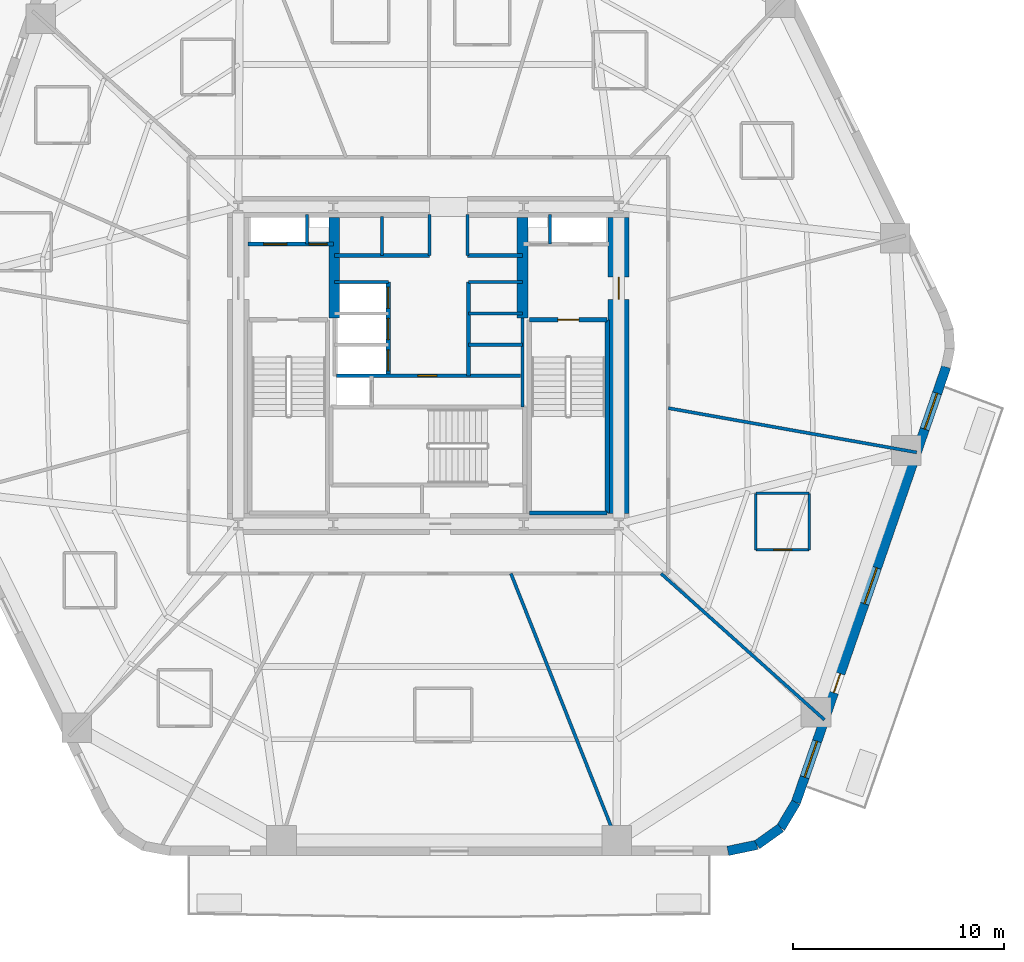
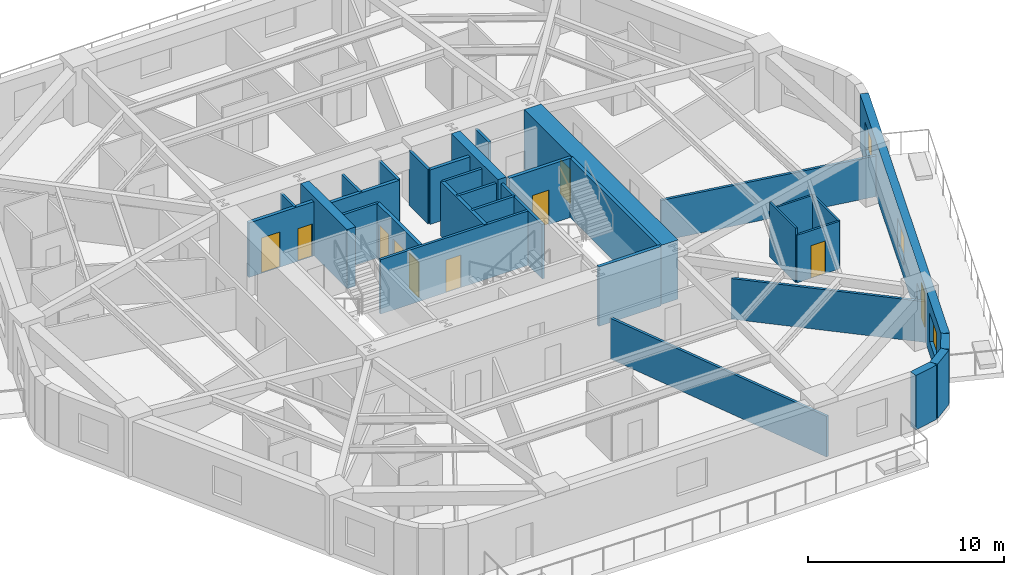
# One storey, part 4 of 10: 33 walls, 10 doors, 3 windows, 13 openings.
"""IFC4 building model written with IfcOpenShell, lengths in metres."""

from ifc_helpers import new_model, si_unit, direction, frame, frame_2d, origin, place, context, subcontext, project, spatial, rectangle, extrude, material, layer, layer_set, type_object, element, fill, save


model = new_model("IFC4")

# Units and contexts
model_context = context("Model", 3, precision=1e-05, world=origin(), true_north=direction((0.0, 1.0)))
body_context = subcontext(model_context, "Body", "Model", "MODEL_VIEW")
ifc_project = project(units=[si_unit("LENGTHUNIT", "METRE"), si_unit("AREAUNIT", "SQUARE_METRE"), si_unit("VOLUMEUNIT", "CUBIC_METRE"), si_unit("PLANEANGLEUNIT", "RADIAN"), si_unit("MASSUNIT", "GRAM", prefix="KILO")], contexts=[model_context])

# Site, building, storey
site_placement = place(None, origin())
site = spatial("IfcSite", under=ifc_project, at=site_placement, CompositionType="ELEMENT")
building_placement = place(site_placement, origin())
building = spatial("IfcBuilding", under=site, at=building_placement, Name="Kilnhurst Terrace Hotel", CompositionType="ELEMENT")
storey_placement = place(building_placement, frame((0.0, 0.0, 71.199951171875)))
storey = spatial("IfcBuildingStorey", under=building, at=storey_placement, Name="L16", CompositionType="ELEMENT", Elevation=71.199951171875)

# Walls
ifc_material_1 = material(Name="Precast concrete C40/50", Category="concrete")
ifc_layer_1 = layer(ifc_material_1, 0.449951171875, Name="Precast concrete C40/50")
ifc_layer_set_1 = layer_set([ifc_layer_1], Name="Precast concrete C40/50")
wall_type_1 = type_object("IfcWallType", Name="WL-BRK-450", PredefinedType="SOLIDWALL", material=ifc_layer_set_1)
wall_1_placement = place(storey_placement, frame((14.168212890625, -22.97509765625, 0.0), z_axis=(0.0, 0.0, 1.0), x_axis=(0.978770371074, 0.204959900243, 0.0)))
element("IfcWall", 1, at=wall_1_placement, inside=storey, type_object=wall_type_1, Name="L16 Rounded Corner Brick Wall C2.1", PredefinedType="SOLIDWALL", context=body_context, shape_type="SweptSolid", body=[
    extrude(rectangle(XDim=1.405517578125, YDim=0.449951171875, at=frame_2d((0.70263671875, 0.0))), origin(), (0.0, 0.0, 1.0), 3.400146484375),
])
wall_2_placement = place(storey_placement, frame((15.5439453125, -22.68701171875, 0.0), z_axis=(0.0, 0.0, 1.0), x_axis=(0.814210854316, 0.580569276412, 0.0)))
element("IfcWall", 2, at=wall_2_placement, inside=storey, type_object=wall_type_1, Name="L16 Rounded Corner Brick Wall C2.2", PredefinedType="SOLIDWALL", context=body_context, shape_type="SweptSolid", body=[
    extrude(rectangle(XDim=1.38134765625, YDim=0.449951171875, at=frame_2d((0.690673828125, 0.0))), origin(), (0.0, 0.0, 1.0), 3.400146484375),
])
wall_3_placement = place(storey_placement, frame((16.668701171875, -21.885009765625, 0.0), z_axis=(0.0, 0.0, 1.0), x_axis=(0.512936712947, 0.858426425799, 0.0)))
element("IfcWall", 3, at=wall_3_placement, inside=storey, type_object=wall_type_1, Name="L16 Rounded Corner Brick Wall C2.3", PredefinedType="SOLIDWALL", context=body_context, shape_type="SweptSolid", body=[
    extrude(rectangle(XDim=1.405517578125, YDim=0.449951171875, at=frame_2d((0.70263671875, 0.0))), origin(), (0.0, 0.0, 1.0), 3.400146484375),
])

# Wall, openings, door, windows
wall_4_placement = place(storey_placement, frame((17.3896484375, -20.678466796875, 0.0), z_axis=(0.0, 0.0, 1.0), x_axis=(0.326068018294, 0.945346310854, 0.0)))
wall_4 = element("IfcWall", 4, at=wall_4_placement, inside=storey, type_object=wall_type_1, Name="L16 Exterior Brick Facade Wall F2", PredefinedType="SOLIDWALL", context=body_context, shape_type="SweptSolid", body=[
    extrude(rectangle(XDim=21.79296875, YDim=0.449951171875, at=frame_2d((10.896484375, 0.0))), origin(), (0.0, 0.0, 1.0), 3.400146484375),
])
opening_1_placement = place(wall_4_placement, frame((5.492919921875, 0.0, 0.0)))
opening_1 = element("IfcOpeningElement", 5, at=opening_1_placement, cuts=wall_4, Name="Opening BD-950", PredefinedType="OPENING", context=body_context, shape_type="SweptSolid", body=[
    extrude(rectangle(XDim=0.949951171875, YDim=2.14990234375, at=frame_2d((0.47509765625, 1.074951171875))), frame((0.0, 0.23486328125, 0.0), z_axis=(0.0, -1.0, 0.0), x_axis=(1.0, 0.0, 0.0)), (0.0, 0.0, 1.0), 0.469970703125),
])
opening_2_placement = place(wall_4_placement, frame((1.260009765625, 0.0, 0.800048828125)))
opening_2 = element("IfcOpeningElement", 6, at=opening_2_placement, cuts=wall_4, Name="Opening W-01", PredefinedType="OPENING", context=body_context, shape_type="SweptSolid", body=[
    extrude(rectangle(XDim=1.800048828125, YDim=1.800048828125, at=frame_2d((0.89990234375, 0.89990234375))), frame((0.0, 0.23486328125, 0.0), z_axis=(0.0, -1.0, 0.0), x_axis=(1.0, 0.0, 0.0)), (0.0, 0.0, 1.0), 0.469970703125),
])
opening_3_placement = place(wall_4_placement, frame((9.943115234375, 0.0, 0.800048828125)))
opening_3 = element("IfcOpeningElement", 7, at=opening_3_placement, cuts=wall_4, Name="Opening W-01", PredefinedType="OPENING", context=body_context, shape_type="SweptSolid", body=[
    extrude(rectangle(XDim=1.800048828125, YDim=1.800048828125, at=frame_2d((0.89990234375, 0.89990234375))), frame((0.0, 0.23486328125, 0.0), z_axis=(0.0, -1.0, 0.0), x_axis=(1.0, 0.0, 0.0)), (0.0, 0.0, 1.0), 0.469970703125),
])
opening_4_placement = place(wall_4_placement, frame((18.679931640625, 0.0, 0.800048828125)))
opening_4 = element("IfcOpeningElement", 8, at=opening_4_placement, cuts=wall_4, Name="Opening W-01", PredefinedType="OPENING", context=body_context, shape_type="SweptSolid", body=[
    extrude(rectangle(XDim=1.800048828125, YDim=1.800048828125, at=frame_2d((0.89990234375, 0.89990234375))), frame((0.0, 0.23486328125, 0.0), z_axis=(0.0, -1.0, 0.0), x_axis=(1.0, 0.0, 0.0)), (0.0, 0.0, 1.0), 0.469970703125),
])
ifc_material_2 = material(Name="Thermally Broken Bronze Aluminium Alloy 6063-T6 and Laminated Glass", Category="aluminium")
door_type_1 = type_object("IfcDoorType", Name="DR-EXT-BAL-950", OperationType="NOTDEFINED", PredefinedType="DOOR", material=ifc_material_2)
door_1_placement = place(opening_1_placement, origin())
door_1 = element("IfcDoor", 9, at=door_1_placement, inside=storey, type_object=door_type_1, Name="L16 Planted Balcony Door BAL-L1B", OperationType="SINGLE_SWING_RIGHT", OverallHeight=2.14990234375, OverallWidth=0.949951171875, PredefinedType="DOOR", context=body_context, shape_type="SweptSolid", body=[
    extrude(rectangle(XDim=0.949951171875, YDim=2.14990234375, at=frame_2d((0.47509765625, 1.074951171875))), frame((0.0, 0.02490234375, 0.0), z_axis=(0.0, -1.0, 0.0), x_axis=(1.0, 0.0, 0.0)), (0.0, 0.0, 1.0), 0.050048828125),
])
fill(opening_1, door_1)
ifc_material_3 = material(Name="Thermally Broken Bronze Aluminium Alloy 6063-T6 and Low-E Glass", Category="aluminium")
window_type = type_object("IfcWindowType", Name="WIN-1800X1800", PartitioningType="SINGLE_PANEL", PredefinedType="WINDOW", material=ifc_material_3)
window_1_placement = place(opening_2_placement, origin())
window_1 = element("IfcWindow", 10, at=window_1_placement, inside=storey, type_object=window_type, Name="L16 Deep-Set Masonry Window F2.1", OverallHeight=1.800048828125, OverallWidth=1.800048828125, PartitioningType="SINGLE_PANEL", PredefinedType="WINDOW", context=body_context, shape_type="SweptSolid", body=[
    extrude(rectangle(XDim=1.800048828125, YDim=1.800048828125, at=frame_2d((0.89990234375, 0.89990234375))), frame((0.0, 0.030029296875, 0.0), z_axis=(0.0, -1.0, 0.0), x_axis=(1.0, 0.0, 0.0)), (0.0, 0.0, 1.0), 0.06005859375),
])
fill(opening_2, window_1)
window_2_placement = place(opening_3_placement, origin())
window_2 = element("IfcWindow", 11, at=window_2_placement, inside=storey, type_object=window_type, Name="L16 Deep-Set Masonry Window F2.2", OverallHeight=1.800048828125, OverallWidth=1.800048828125, PartitioningType="SINGLE_PANEL", PredefinedType="WINDOW", context=body_context, shape_type="SweptSolid", body=[
    extrude(rectangle(XDim=1.800048828125, YDim=1.800048828125, at=frame_2d((0.89990234375, 0.89990234375))), frame((0.0, 0.030029296875, 0.0), z_axis=(0.0, -1.0, 0.0), x_axis=(1.0, 0.0, 0.0)), (0.0, 0.0, 1.0), 0.06005859375),
])
fill(opening_3, window_2)
window_3_placement = place(opening_4_placement, origin())
window_3 = element("IfcWindow", 12, at=window_3_placement, inside=storey, type_object=window_type, Name="L16 Deep-Set Masonry Window F2.3", OverallHeight=1.800048828125, OverallWidth=1.800048828125, PartitioningType="SINGLE_PANEL", PredefinedType="WINDOW", context=body_context, shape_type="SweptSolid", body=[
    extrude(rectangle(XDim=1.800048828125, YDim=1.800048828125, at=frame_2d((0.89990234375, 0.89990234375))), frame((0.0, 0.030029296875, 0.0), z_axis=(0.0, -1.0, 0.0), x_axis=(1.0, 0.0, 0.0)), (0.0, 0.0, 1.0), 0.06005859375),
])
fill(opening_4, window_3)

# Wall, opening, door
ifc_material_4 = material(Name="Concrete C80/95", Category="concrete")
ifc_layer_2 = layer(ifc_material_4, 1.0, Name="Concrete C80/95")
ifc_layer_set_2 = layer_set([ifc_layer_2], Name="Concrete C80/95")
wall_type_2 = type_object("IfcWallType", Name="WL-CORE-1000", PredefinedType="SHEAR", material=ifc_layer_set_2)
wall_5_placement = place(storey_placement, frame((9.0, -7.0, 0.0), z_axis=(0.0, 0.0, 1.0), x_axis=(0.0, 1.0, 0.0)))
wall_5 = element("IfcWall", 13, at=wall_5_placement, inside=storey, type_object=wall_type_2, Name="L16 Core East Shear Wall", PredefinedType="SHEAR", context=body_context, shape_type="SweptSolid", body=[
    extrude(rectangle(XDim=14.0, YDim=1.0, at=frame_2d((7.0, 0.0))), origin(), (0.0, 0.0, 1.0), 3.699951171875),
])
opening_5_placement = place(wall_5_placement, frame((10.125, 0.0, 0.0)))
opening_5 = element("IfcOpeningElement", 14, at=opening_5_placement, cuts=wall_5, Name="Opening D-90A", PredefinedType="OPENING", context=body_context, shape_type="SweptSolid", body=[
    extrude(rectangle(XDim=1.050048828125, YDim=2.14990234375, at=frame_2d((0.52490234375, 1.074951171875))), frame((0.0, 0.510009765625, 0.0), z_axis=(0.0, -1.0, 0.0), x_axis=(1.0, 0.0, 0.0)), (0.0, 0.0, 1.0), 1.02001953125),
])
ifc_material_5 = material(Name="Painted Hollow Metal Steel ASTM A36 Fire Door", Category="steel")
door_type_2 = type_object("IfcDoorType", Name="DR-FD90-1050", OperationType="NOTDEFINED", PredefinedType="DOOR", material=ifc_material_5)
door_2_placement = place(opening_5_placement, origin())
door_2 = element("IfcDoor", 15, at=door_2_placement, inside=storey, type_object=door_type_2, Name="L16 East Firefighting Lobby Door", OperationType="SINGLE_SWING_LEFT", OverallHeight=2.14990234375, OverallWidth=1.050048828125, PredefinedType="DOOR", context=body_context, shape_type="SweptSolid", body=[
    extrude(rectangle(XDim=1.050048828125, YDim=2.14990234375, at=frame_2d((0.52490234375, 1.074951171875))), frame((0.0, 0.02490234375, 0.0), z_axis=(0.0, -1.0, 0.0), x_axis=(1.0, 0.0, 0.0)), (0.0, 0.0, 1.0), 0.050048828125),
])
fill(opening_5, door_2)

# Walls
ifc_material_6 = material(Name="Concrete C60/75", Category="concrete")
ifc_layer_3 = layer(ifc_material_6, 0.5, Name="Concrete C60/75")
ifc_layer_set_3 = layer_set([ifc_layer_3], Name="Concrete C60/75")
wall_type_3 = type_object("IfcWallType", Name="WL-CORE-WEB-500", PredefinedType="SHEAR", material=ifc_layer_set_3)
for number, where, z_axis, x_axis, name in (
    (16, (-4.449951171875, 2.25, 0.0), (0.0, 0.0, 1.0), (0.0, 1.0, 0.0), "L16 Core Internal West Shear Web"),
    (17, (4.449951171875, 2.25, 0.0), (0.0, 0.0, 1.0), (0.0, 1.0, 0.0), "L16 Core Internal East Shear Web"),
):
    element("IfcWall", number, at=place(storey_placement, frame(where, z_axis=z_axis, x_axis=x_axis)), inside=storey, type_object=wall_type_3, Name=name, PredefinedType="SHEAR", context=body_context, shape_type="SweptSolid", body=[
        extrude(rectangle(XDim=4.75, YDim=0.5, at=frame_2d((2.375, 0.0))), origin(), (0.0, 0.0, 1.0), 3.699951171875),
    ])
ifc_material_7 = material(Name="STC-58 Acoustic Twin-Frame Guestroom Demising Partition")
ifc_layer_4 = layer(ifc_material_7, 0.14990234375, Name="STC-58 Acoustic Twin-Frame Guestroom Demising Partition")
ifc_layer_set_4 = layer_set([ifc_layer_4], Name="STC-58 Acoustic Twin-Frame Guestroom Demising Partition")
wall_type_4 = type_object("IfcWallType", Name="WL-DEM-150", PredefinedType="PARTITIONING", material=ifc_layer_set_4)
wall_6_placement = place(storey_placement, frame((3.90185546875, -9.85009765625, 0.0), z_axis=(0.0, 0.0, 1.0), x_axis=(0.36828765711, -0.929711891728, 0.0)))
element("IfcWall", 18, at=wall_6_placement, inside=storey, type_object=wall_type_4, Name="L16 Interior Wall WL-L16-DEM-COL10-13-1", PredefinedType="PARTITIONING", context=body_context, shape_type="SweptSolid", body=[
    extrude(rectangle(XDim=14.1171875, YDim=0.14990234375, at=frame_2d((7.05859375, 0.0))), origin(), (0.0, 0.0, 1.0), 2.5400390625),
])
wall_7_placement = place(storey_placement, frame((11.006591796875, -9.85009765625, 0.0), z_axis=(0.0, 0.0, 1.0), x_axis=(0.745177305978, -0.666866390407, 0.0)))
element("IfcWall", 19, at=wall_7_placement, inside=storey, type_object=wall_type_4, Name="L16 Interior Wall WL-L16-DEM-COL11-14-1", PredefinedType="PARTITIONING", context=body_context, shape_type="SweptSolid", body=[
    extrude(rectangle(XDim=10.375244140625, YDim=0.14990234375, at=frame_2d((5.1875, 0.0))), origin(), (0.0, 0.0, 1.0), 2.5400390625),
])
wall_8_placement = place(storey_placement, frame((11.35009765625, -2.022705078125, 0.0), z_axis=(0.0, 0.0, 1.0), x_axis=(0.984493741877, -0.17541970301, 0.0)))
element("IfcWall", 20, at=wall_8_placement, inside=storey, type_object=wall_type_4, Name="L16 Interior Wall WL-L16-DEM-COL12-15-1", PredefinedType="PARTITIONING", context=body_context, shape_type="SweptSolid", body=[
    extrude(rectangle(XDim=11.93701171875, YDim=0.14990234375, at=frame_2d((5.968505859375, 0.0))), origin(), (0.0, 0.0, 1.0), 2.5400390625),
])

# Wall, opening, door
ifc_material_8 = material(Name="120 mm Moisture-Resistant Tile-Backed Bathroom Partition")
ifc_layer_5 = layer(ifc_material_8, 0.1201171875, Name="120 mm Moisture-Resistant Tile-Backed Bathroom Partition")
ifc_layer_set_5 = layer_set([ifc_layer_5], Name="120 mm Moisture-Resistant Tile-Backed Bathroom Partition")
wall_type_5 = type_object("IfcWallType", Name="WL-PART-120", PredefinedType="PARTITIONING", material=ifc_layer_set_5)
wall_9_placement = place(storey_placement, frame((15.49609375, -8.73291015625, 0.0), z_axis=(0.0, 0.0, 1.0), x_axis=(1.0, 0.0, 0.0)))
wall_9 = element("IfcWall", 21, at=wall_9_placement, inside=storey, type_object=wall_type_5, Name="L16 Interior Wall WL-L16-BTH-14-1", PredefinedType="PARTITIONING", context=body_context, shape_type="SweptSolid", body=[
    extrude(rectangle(XDim=2.52001953125, YDim=0.1201171875, at=frame_2d((1.260009765625, 0.0))), origin(), (0.0, 0.0, 1.0), 2.972412109375),
])
opening_6_placement = place(wall_9_placement, frame((0.8349609375, 0.0, 0.0)))
opening_6 = element("IfcOpeningElement", 22, at=opening_6_placement, cuts=wall_9, Name="Opening D-08A", PredefinedType="OPENING", context=body_context, shape_type="SweptSolid", body=[
    extrude(rectangle(XDim=0.85009765625, YDim=2.030029296875, at=frame_2d((0.425048828125, 1.01513671875))), frame((0.0, 0.070068359375, 0.0), z_axis=(0.0, -1.0, 0.0), x_axis=(1.0, 0.0, 0.0)), (0.0, 0.0, 1.0), 0.14013671875),
])
ifc_material_9 = material(Name="Moisture-Resistant Lacquered En-suite Bathroom Door")
door_type_3 = type_object("IfcDoorType", Name="DR-INT-850", OperationType="NOTDEFINED", PredefinedType="DOOR", material=ifc_material_9)
door_3_placement = place(opening_6_placement, origin())
door_3 = element("IfcDoor", 23, at=door_3_placement, inside=storey, type_object=door_type_3, Name="L16 En-suite Bathroom Door 14", OperationType="SINGLE_SWING_LEFT", OverallHeight=2.030029296875, OverallWidth=0.85009765625, PredefinedType="DOOR", context=body_context, shape_type="SweptSolid", body=[
    extrude(rectangle(XDim=0.85009765625, YDim=2.030029296875, at=frame_2d((0.425048828125, 1.01513671875))), frame((0.0, 0.02490234375, 0.0), z_axis=(0.0, -1.0, 0.0), x_axis=(1.0, 0.0, 0.0)), (0.0, 0.0, 1.0), 0.050048828125),
])
fill(opening_6, door_3)

# Walls
wall_10_placement = place(storey_placement, frame((18.01611328125, -8.73291015625, 0.0), z_axis=(0.0, 0.0, 1.0), x_axis=(0.0, 1.0, 0.0)))
element("IfcWall", 24, at=wall_10_placement, inside=storey, type_object=wall_type_5, Name="L16 Interior Wall WL-L16-BTH-14-2", PredefinedType="PARTITIONING", context=body_context, shape_type="SweptSolid", body=[
    extrude(rectangle(XDim=2.679931640625, YDim=0.1201171875, at=frame_2d((1.33984375, 0.0))), origin(), (0.0, 0.0, 1.0), 2.972412109375),
])
wall_11_placement = place(storey_placement, frame((18.01611328125, -6.052978515625, 0.0), z_axis=(0.0, 0.0, 1.0), x_axis=(-1.0, 0.0, 0.0)))
element("IfcWall", 25, at=wall_11_placement, inside=storey, type_object=wall_type_5, Name="L16 Interior Wall WL-L16-BTH-14-3", PredefinedType="PARTITIONING", context=body_context, shape_type="SweptSolid", body=[
    extrude(rectangle(XDim=2.52001953125, YDim=0.1201171875, at=frame_2d((1.260009765625, 0.0))), origin(), (0.0, 0.0, 1.0), 2.972412109375),
])
wall_12_placement = place(storey_placement, frame((15.49609375, -6.052978515625, 0.0), z_axis=(0.0, 0.0, 1.0), x_axis=(0.0, -1.0, 0.0)))
element("IfcWall", 26, at=wall_12_placement, inside=storey, type_object=wall_type_5, Name="L16 Interior Wall WL-L16-BTH-14-4", PredefinedType="PARTITIONING", context=body_context, shape_type="SweptSolid", body=[
    extrude(rectangle(XDim=2.679931640625, YDim=0.1201171875, at=frame_2d((1.33984375, 0.0))), origin(), (0.0, 0.0, 1.0), 3.400146484375),
])
ifc_material_10 = material(Name="Fire-Rated Gypsum Shaftliner Assembly")
ifc_layer_6 = layer(ifc_material_10, 0.14990234375, Name="Fire-Rated Gypsum Shaftliner Assembly")
ifc_layer_set_6 = layer_set([ifc_layer_6], Name="Fire-Rated Gypsum Shaftliner Assembly")
wall_type_6 = type_object("IfcWallType", Name="WL-SHAFT-150", PredefinedType="PARTITIONING", material=ifc_layer_set_6)
for number, where, z_axis, x_axis, name in (
    (27, (-5.75, 5.739990234375, 0.0), (0.0, 0.0, 1.0), (0.0, 1.0, 0.0), "L16 Interior Wall WL-L16-RIS1-DIV"),
    (28, (5.75, 5.739990234375, 0.0), (0.0, 0.0, 1.0), (0.0, 1.0, 0.0), "L16 Interior Wall WL-L16-RIS2-DIV"),
):
    element("IfcWall", number, at=place(storey_placement, frame(where, z_axis=z_axis, x_axis=x_axis)), inside=storey, type_object=wall_type_6, Name=name, PredefinedType="PARTITIONING", context=body_context, shape_type="SweptSolid", body=[
        extrude(rectangle(XDim=1.409912109375, YDim=0.14990234375, at=frame_2d((0.705078125, 0.0))), origin(), (0.0, 0.0, 1.0), 3.400146484375),
    ])
wall_13_placement = place(storey_placement, frame((-2.199951171875, 5.199951171875, 0.0), z_axis=(0.0, 0.0, 1.0), x_axis=(0.0, 1.0, 0.0)))
element("IfcWall", 29, at=wall_13_placement, inside=storey, type_object=wall_type_6, Name="L16 Interior Wall WL-L16-HR-DIV1", PredefinedType="PARTITIONING", context=body_context, shape_type="SweptSolid", body=[
    extrude(rectangle(XDim=1.85009765625, YDim=0.14990234375, at=frame_2d((0.925048828125, 0.0))), origin(), (0.0, 0.0, 1.0), 3.400146484375),
])
for number, where, z_axis, x_axis, name in (
    (30, (0.050048828125, 5.199951171875, 0.0), (0.0, 0.0, 1.0), (0.0, 1.0, 0.0), "L16 Interior Wall WL-L16-HR-PORTAL-W"),
    (31, (1.85009765625, 5.199951171875, 0.0), (0.0, 0.0, 1.0), (0.0, 1.0, 0.0), "L16 Interior Wall WL-L16-HR-PORTAL-E"),
):
    element("IfcWall", number, at=place(storey_placement, frame(where, z_axis=z_axis, x_axis=x_axis)), inside=storey, type_object=wall_type_6, Name=name, PredefinedType="PARTITIONING", context=body_context, shape_type="SweptSolid", body=[
        extrude(rectangle(XDim=1.949951171875, YDim=0.14990234375, at=frame_2d((0.97509765625, 0.0))), origin(), (0.0, 0.0, 1.0), 3.400146484375),
    ])
wall_14_placement = place(storey_placement, frame((4.449951171875, -1.971923828125, 0.0), z_axis=(0.0, 0.0, 1.0), x_axis=(0.0, 1.0, 0.0)))
element("IfcWall", 32, at=wall_14_placement, inside=storey, type_object=wall_type_6, Name="L16 Interior Wall WL-L16-XLOB-E", PredefinedType="PARTITIONING", context=body_context, shape_type="SweptSolid", body=[
    extrude(rectangle(XDim=4.221923828125, YDim=0.14990234375, at=frame_2d((2.11083984375, 0.0))), origin(), (0.0, 0.0, 1.0), 3.400146484375),
])
for number, where, z_axis, x_axis, name in (
    (33, (-4.449951171875, 3.93994140625, 0.0), (0.0, 0.0, 1.0), (1.0, 0.0, 0.0), "L16 Interior Wall WL-L16-LR-NORTH"),
    (34, (1.89990234375, 3.93994140625, 0.0), (0.0, 0.0, 1.0), (1.0, 0.0, 0.0), "L16 Interior Wall WL-L16-MR-NORTH"),
    (35, (1.89990234375, 0.97998046875, 0.0), (0.0, 0.0, 1.0), (1.0, 0.0, 0.0), "L16 Interior Wall WL-L16-MR-D1"),
    (36, (1.89990234375, 2.4599609375, 0.0), (0.0, 0.0, 1.0), (1.0, 0.0, 0.0), "L16 Interior Wall WL-L16-MR-D2"),
):
    element("IfcWall", number, at=place(storey_placement, frame(where, z_axis=z_axis, x_axis=x_axis)), inside=storey, type_object=wall_type_6, Name=name, PredefinedType="PARTITIONING", context=body_context, shape_type="SweptSolid", body=[
        extrude(rectangle(XDim=2.550048828125, YDim=0.14990234375, at=frame_2d((1.27490234375, 0.0))), origin(), (0.0, 0.0, 1.0), 3.400146484375),
    ])

# Wall, opening, door
wall_15_placement = place(storey_placement, frame((-4.360107421875, -0.489990234375, 0.0), z_axis=(0.0, 0.0, 1.0), x_axis=(1.0, 0.0, 0.0)))
wall_15 = element("IfcWall", 37, at=wall_15_placement, inside=storey, type_object=wall_type_6, Name="L16 Interior Wall WL-L16-BOH-N", PredefinedType="PARTITIONING", context=body_context, shape_type="SweptSolid", body=[
    extrude(rectangle(XDim=8.72021484375, YDim=0.14990234375, at=frame_2d((4.360107421875, 0.0))), origin(), (0.0, 0.0, 1.0), 3.400146484375),
])
opening_7_placement = place(wall_15_placement, frame((3.860107421875, 0.0, 0.0)))
opening_7 = element("IfcOpeningElement", 38, at=opening_7_placement, cuts=wall_15, Name="Opening D-60C", PredefinedType="OPENING", context=body_context, shape_type="SweptSolid", body=[
    extrude(rectangle(XDim=0.89990234375, YDim=2.030029296875, at=frame_2d((0.449951171875, 1.01513671875))), frame((0.0, 0.0849609375, 0.0), z_axis=(0.0, -1.0, 0.0), x_axis=(1.0, 0.0, 0.0)), (0.0, 0.0, 1.0), 0.169921875),
])
ifc_material_11 = material(Name="Painted Solid-Core Service Fire Door")
door_type_4 = type_object("IfcDoorType", Name="DR-FD60-900", OperationType="NOTDEFINED", PredefinedType="DOOR", material=ifc_material_11)
door_4_placement = place(opening_7_placement, origin())
door_4 = element("IfcDoor", 39, at=door_4_placement, inside=storey, type_object=door_type_4, Name="L16 Housekeeping Laundry Door", OperationType="SINGLE_SWING_LEFT", OverallHeight=2.030029296875, OverallWidth=0.89990234375, PredefinedType="DOOR", context=body_context, shape_type="SweptSolid", body=[
    extrude(rectangle(XDim=0.89990234375, YDim=2.030029296875, at=frame_2d((0.449951171875, 1.01513671875))), frame((0.0, 0.02490234375, 0.0), z_axis=(0.0, -1.0, 0.0), x_axis=(1.0, 0.0, 0.0)), (0.0, 0.0, 1.0), 0.050048828125),
])
fill(opening_7, door_4)

# Wall, openings, doors
ifc_material_12 = material(Name="Autoclaved Aerated Concrete C30/37 and Gypsum Shaft Assembly", Category="concrete")
ifc_layer_7 = layer(ifc_material_12, 0.199951171875, Name="Autoclaved Aerated Concrete C30/37 and Gypsum Shaft Assembly")
ifc_layer_set_7 = layer_set([ifc_layer_7], Name="Autoclaved Aerated Concrete C30/37 and Gypsum Shaft Assembly")
wall_type_7 = type_object("IfcWallType", Name="WL-SHAFT-200", PredefinedType="PARTITIONING", material=ifc_layer_set_7)
wall_16_placement = place(storey_placement, frame((-8.550048828125, 5.739990234375, 0.0), z_axis=(0.0, 0.0, 1.0), x_axis=(1.0, 0.0, 0.0)))
wall_16 = element("IfcWall", 40, at=wall_16_placement, inside=storey, type_object=wall_type_7, Name="L16 Interior Wall WL-L16-FSAE1-S", PredefinedType="PARTITIONING", context=body_context, shape_type="SweptSolid", body=[
    extrude(rectangle(XDim=4.050048828125, YDim=0.199951171875, at=frame_2d((2.02490234375, 0.0))), origin(), (0.0, 0.0, 1.0), 3.400146484375),
])
opening_8_placement = place(wall_16_placement, frame((0.75, 0.0, 0.0)))
opening_8 = element("IfcOpeningElement", 41, at=opening_8_placement, cuts=wall_16, Name="Opening LD-F1", PredefinedType="OPENING", context=body_context, shape_type="SweptSolid", body=[
    extrude(rectangle(XDim=1.10009765625, YDim=2.199951171875, at=frame_2d((0.550048828125, 1.10009765625))), frame((0.0, 0.10986328125, 0.0), z_axis=(0.0, -1.0, 0.0), x_axis=(1.0, 0.0, 0.0)), (0.0, 0.0, 1.0), 0.219970703125),
])
opening_9_placement = place(wall_16_placement, frame((2.89990234375, 0.0, 0.0)))
opening_9 = element("IfcOpeningElement", 42, at=opening_9_placement, cuts=wall_16, Name="Opening D-60D", PredefinedType="OPENING", context=body_context, shape_type="SweptSolid", body=[
    extrude(rectangle(XDim=0.85009765625, YDim=2.030029296875, at=frame_2d((0.425048828125, 1.01513671875))), frame((0.0, 0.10986328125, 0.0), z_axis=(0.0, -1.0, 0.0), x_axis=(1.0, 0.0, 0.0)), (0.0, 0.0, 1.0), 0.219970703125),
])
ifc_material_13 = material(Name="Painted Hollow Metal Steel ASTM A36 Riser Door", Category="steel")
door_type_5 = type_object("IfcDoorType", Name="DR-FD60-850", OperationType="NOTDEFINED", PredefinedType="DOOR", material=ifc_material_13)
door_5_placement = place(opening_9_placement, origin())
door_5 = element("IfcDoor", 43, at=door_5_placement, inside=storey, type_object=door_type_5, Name="L16 Electrical Riser Door", OperationType="SINGLE_SWING_LEFT", OverallHeight=2.030029296875, OverallWidth=0.85009765625, PredefinedType="DOOR", context=body_context, shape_type="SweptSolid", body=[
    extrude(rectangle(XDim=0.85009765625, YDim=2.030029296875, at=frame_2d((0.425048828125, 1.01513671875))), frame((0.0, 0.02490234375, 0.0), z_axis=(0.0, -1.0, 0.0), x_axis=(1.0, 0.0, 0.0)), (0.0, 0.0, 1.0), 0.050048828125),
])
fill(opening_9, door_5)
ifc_material_14 = material(Name="Bronze-Anodized Stainless Steel AISI 316L Sliding Door", Category="steel")
door_type_6 = type_object("IfcDoorType", Name="DR-LIFT-1100", OperationType="NOTDEFINED", PredefinedType="DOOR", material=ifc_material_14)
door_6_placement = place(opening_8_placement, origin())
door_6 = element("IfcDoor", 44, at=door_6_placement, inside=storey, type_object=door_type_6, Name="L16 FSAE-1 Landing Door", OperationType="SLIDING_TO_LEFT", OverallHeight=2.199951171875, OverallWidth=1.10009765625, PredefinedType="DOOR", context=body_context, shape_type="SweptSolid", body=[
    extrude(rectangle(XDim=1.10009765625, YDim=2.199951171875, at=frame_2d((0.550048828125, 1.10009765625))), frame((0.0, 0.02490234375, 0.0), z_axis=(0.0, -1.0, 0.0), x_axis=(1.0, 0.0, 0.0)), (0.0, 0.0, 1.0), 0.050048828125),
])
fill(opening_8, door_6)

# Walls
wall_17_placement = place(storey_placement, frame((-4.449951171875, 5.199951171875, 0.0), z_axis=(0.0, 0.0, 1.0), x_axis=(1.0, 0.0, 0.0)))
element("IfcWall", 45, at=wall_17_placement, inside=storey, type_object=wall_type_7, Name="L16 Interior Wall WL-L16-HR-SW", PredefinedType="PARTITIONING", context=body_context, shape_type="SweptSolid", body=[
    extrude(rectangle(XDim=4.5, YDim=0.199951171875, at=frame_2d((2.25, 0.0))), origin(), (0.0, 0.0, 1.0), 3.400146484375),
])
wall_18_placement = place(storey_placement, frame((1.85009765625, 5.199951171875, 0.0), z_axis=(0.0, 0.0, 1.0), x_axis=(1.0, 0.0, 0.0)))
element("IfcWall", 46, at=wall_18_placement, inside=storey, type_object=wall_type_7, Name="L16 Interior Wall WL-L16-HR-SE", PredefinedType="PARTITIONING", context=body_context, shape_type="SweptSolid", body=[
    extrude(rectangle(XDim=2.599853515625, YDim=0.199951171875, at=frame_2d((1.2998046875, 0.0))), origin(), (0.0, 0.0, 1.0), 3.400146484375),
])

# Wall, openings, doors
wall_19_placement = place(storey_placement, frame((-1.89990234375, -0.5, 0.0), z_axis=(0.0, 0.0, 1.0), x_axis=(0.0, 1.0, 0.0)))
wall_19 = element("IfcWall", 47, at=wall_19_placement, inside=storey, type_object=wall_type_7, Name="L16 Interior Wall WL-L16-LR-FRONT", PredefinedType="PARTITIONING", context=body_context, shape_type="SweptSolid", body=[
    extrude(rectangle(XDim=4.43994140625, YDim=0.199951171875, at=frame_2d((2.219970703125, 0.0))), origin(), (0.0, 0.0, 1.0), 3.400146484375),
])
opening_10_placement = place(wall_19_placement, frame((0.239990234375, 0.0, 0.0)))
opening_10 = element("IfcOpeningElement", 48, at=opening_10_placement, cuts=wall_19, Name="Opening LD-LR", PredefinedType="OPENING", context=body_context, shape_type="SweptSolid", body=[
    extrude(rectangle(XDim=1.0, YDim=2.199951171875, at=frame_2d((0.5, 1.10009765625))), frame((0.0, 0.10986328125, 0.0), z_axis=(0.0, -1.0, 0.0), x_axis=(1.0, 0.0, 0.0)), (0.0, 0.0, 1.0), 0.219970703125),
])
opening_11_placement = place(wall_19_placement, frame((1.719970703125, 0.0, 0.0)))
opening_11 = element("IfcOpeningElement", 49, at=opening_11_placement, cuts=wall_19, Name="Opening LD-LR", PredefinedType="OPENING", context=body_context, shape_type="SweptSolid", body=[
    extrude(rectangle(XDim=1.0, YDim=2.199951171875, at=frame_2d((0.5, 1.10009765625))), frame((0.0, 0.10986328125, 0.0), z_axis=(0.0, -1.0, 0.0), x_axis=(1.0, 0.0, 0.0)), (0.0, 0.0, 1.0), 0.219970703125),
])
opening_12_placement = place(wall_19_placement, frame((3.199951171875, 0.0, 0.0)))
opening_12 = element("IfcOpeningElement", 50, at=opening_12_placement, cuts=wall_19, Name="Opening LD-LR", PredefinedType="OPENING", context=body_context, shape_type="SweptSolid", body=[
    extrude(rectangle(XDim=1.0, YDim=2.199951171875, at=frame_2d((0.5, 1.10009765625))), frame((0.0, 0.10986328125, 0.0), z_axis=(0.0, -1.0, 0.0), x_axis=(1.0, 0.0, 0.0)), (0.0, 0.0, 1.0), 0.219970703125),
])
door_type_7 = type_object("IfcDoorType", Name="DR-LIFT-1000", OperationType="NOTDEFINED", PredefinedType="DOOR", material=ifc_material_14)
door_7_placement = place(opening_10_placement, origin())
door_7 = element("IfcDoor", 51, at=door_7_placement, inside=storey, type_object=door_type_7, Name="L16 Low Rise Lift LR-1 Landing Door", OperationType="SLIDING_TO_LEFT", OverallHeight=2.199951171875, OverallWidth=1.0, PredefinedType="DOOR", context=body_context, shape_type="SweptSolid", body=[
    extrude(rectangle(XDim=1.0, YDim=2.199951171875, at=frame_2d((0.5, 1.10009765625))), frame((0.0, 0.02490234375, 0.0), z_axis=(0.0, -1.0, 0.0), x_axis=(1.0, 0.0, 0.0)), (0.0, 0.0, 1.0), 0.050048828125),
])
fill(opening_10, door_7)
door_8_placement = place(opening_11_placement, origin())
door_8 = element("IfcDoor", 52, at=door_8_placement, inside=storey, type_object=door_type_7, Name="L16 Low Rise Lift LR-2 Landing Door", OperationType="SLIDING_TO_LEFT", OverallHeight=2.199951171875, OverallWidth=1.0, PredefinedType="DOOR", context=body_context, shape_type="SweptSolid", body=[
    extrude(rectangle(XDim=1.0, YDim=2.199951171875, at=frame_2d((0.5, 1.10009765625))), frame((0.0, 0.02490234375, 0.0), z_axis=(0.0, -1.0, 0.0), x_axis=(1.0, 0.0, 0.0)), (0.0, 0.0, 1.0), 0.050048828125),
])
fill(opening_11, door_8)
door_9_placement = place(opening_12_placement, origin())
door_9 = element("IfcDoor", 53, at=door_9_placement, inside=storey, type_object=door_type_7, Name="L16 Low Rise Lift LR-3 Landing Door", OperationType="SLIDING_TO_LEFT", OverallHeight=2.199951171875, OverallWidth=1.0, PredefinedType="DOOR", context=body_context, shape_type="SweptSolid", body=[
    extrude(rectangle(XDim=1.0, YDim=2.199951171875, at=frame_2d((0.5, 1.10009765625))), frame((0.0, 0.02490234375, 0.0), z_axis=(0.0, -1.0, 0.0), x_axis=(1.0, 0.0, 0.0)), (0.0, 0.0, 1.0), 0.050048828125),
])
fill(opening_12, door_9)

# Walls
wall_20_placement = place(storey_placement, frame((1.89990234375, -0.5, 0.0), z_axis=(0.0, 0.0, 1.0), x_axis=(0.0, 1.0, 0.0)))
element("IfcWall", 54, at=wall_20_placement, inside=storey, type_object=wall_type_7, Name="L16 Interior Wall WL-L16-MR-FRONT", PredefinedType="PARTITIONING", context=body_context, shape_type="SweptSolid", body=[
    extrude(rectangle(XDim=4.43994140625, YDim=0.199951171875, at=frame_2d((2.219970703125, 0.0))), origin(), (0.0, 0.0, 1.0), 3.400146484375),
])
ifc_material_15 = material(Name="Concrete C50/60", Category="concrete")
ifc_layer_8 = layer(ifc_material_15, 0.199951171875, Name="Concrete C50/60")
ifc_layer_set_8 = layer_set([ifc_layer_8], Name="Concrete C50/60")
wall_type_8 = type_object("IfcWallType", Name="WL-STAIR-RC-200", PredefinedType="SHEAR", material=ifc_layer_set_8)
wall_21_placement = place(storey_placement, frame((8.4580078125, -6.985107421875, 0.0), z_axis=(0.0, 0.0, 1.0), x_axis=(0.0, 1.0, 0.0)))
element("IfcWall", 55, at=wall_21_placement, inside=storey, type_object=wall_type_8, Name="L16 Structural Stair Shaft Wall WL-L16-ST2-E", PredefinedType="SHEAR", context=body_context, shape_type="SweptSolid", body=[
    extrude(rectangle(XDim=9.14306640625, YDim=0.199951171875, at=frame_2d((4.571533203125, 0.0))), origin(), (0.0, 0.0, 1.0), 3.699951171875),
])
wall_22_placement = place(storey_placement, frame((4.77197265625, -6.985107421875, 0.0), z_axis=(0.0, 0.0, 1.0), x_axis=(1.0, 0.0, 0.0)))
element("IfcWall", 56, at=wall_22_placement, inside=storey, type_object=wall_type_8, Name="L16 Structural Stair Shaft Wall WL-L16-ST2-S", PredefinedType="SHEAR", context=body_context, shape_type="SweptSolid", body=[
    extrude(rectangle(XDim=3.68603515625, YDim=0.199951171875, at=frame_2d((1.843017578125, 0.0))), origin(), (0.0, 0.0, 1.0), 3.699951171875),
])

# Wall, opening, door
wall_23_placement = place(storey_placement, frame((4.77197265625, 2.157958984375, 0.0), z_axis=(0.0, 0.0, 1.0), x_axis=(1.0, 0.0, 0.0)))
wall_23 = element("IfcWall", 57, at=wall_23_placement, inside=storey, type_object=wall_type_8, Name="L16 Structural Stair Shaft Wall WL-L16-ST2-N", PredefinedType="SHEAR", context=body_context, shape_type="SweptSolid", body=[
    extrude(rectangle(XDim=3.68603515625, YDim=0.199951171875, at=frame_2d((1.843017578125, 0.0))), origin(), (0.0, 0.0, 1.0), 3.699951171875),
])
opening_13_placement = place(wall_23_placement, frame((1.35009765625, 0.0, 0.0)))
opening_13 = element("IfcOpeningElement", 58, at=opening_13_placement, cuts=wall_23, Name="Opening D-90B", PredefinedType="OPENING", context=body_context, shape_type="SweptSolid", body=[
    extrude(rectangle(XDim=1.0, YDim=2.14990234375, at=frame_2d((0.5, 1.074951171875))), frame((0.0, 0.10986328125, 0.0), z_axis=(0.0, -1.0, 0.0), x_axis=(1.0, 0.0, 0.0)), (0.0, 0.0, 1.0), 0.219970703125),
])
door_type_8 = type_object("IfcDoorType", Name="DR-FD90-1000", OperationType="NOTDEFINED", PredefinedType="DOOR", material=ifc_material_5)
door_10_placement = place(opening_13_placement, origin())
door_10 = element("IfcDoor", 59, at=door_10_placement, inside=storey, type_object=door_type_8, Name="L16 Stair ST-2 Door", OperationType="SINGLE_SWING_RIGHT", OverallHeight=2.14990234375, OverallWidth=1.0, PredefinedType="DOOR", context=body_context, shape_type="SweptSolid", body=[
    extrude(rectangle(XDim=1.0, YDim=2.14990234375, at=frame_2d((0.5, 1.074951171875))), frame((0.0, 0.02490234375, 0.0), z_axis=(0.0, -1.0, 0.0), x_axis=(1.0, 0.0, 0.0)), (0.0, 0.0, 1.0), 0.050048828125),
])
fill(opening_13, door_10)

save(model, "model.ifc")
